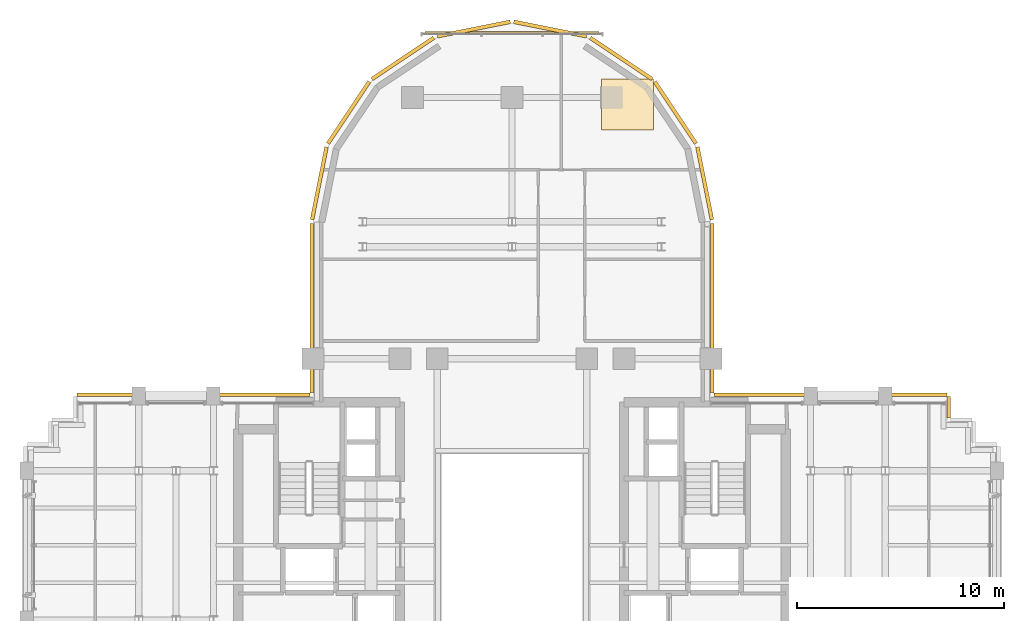
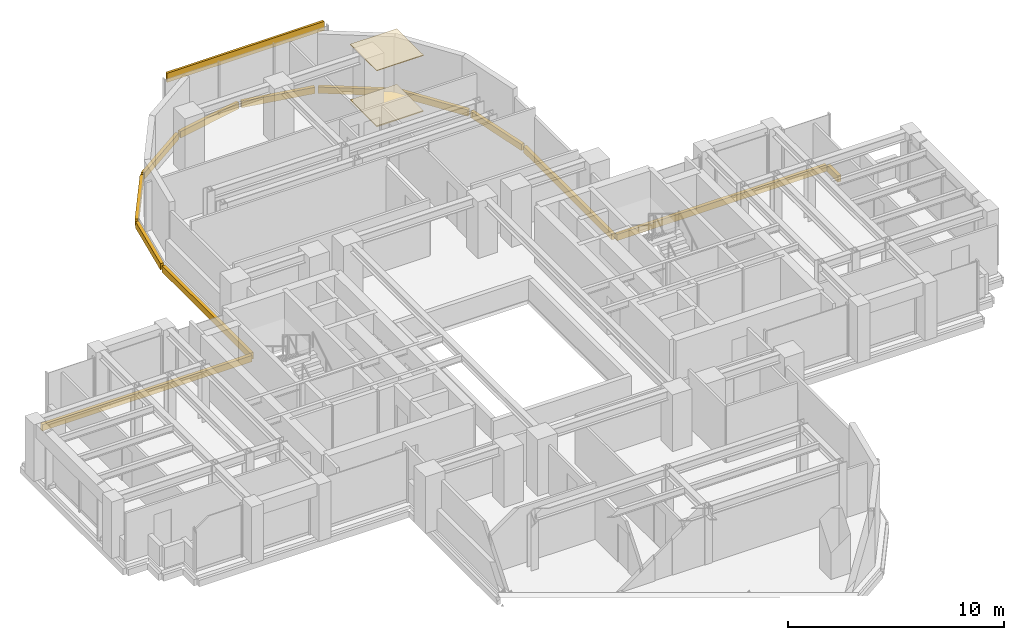
# One storey, part 14 of 14: 16 coverings.
"""IFC4 building model written with IfcOpenShell, lengths in metres."""

from ifc_helpers import new_model, si_unit, direction, frame, origin, origin_2d, place, context, subcontext, project, spatial, rectangle, extrude, source, transform, mapped, material, layer, layer_set, type_object, element, save


model = new_model("IFC4")

# Units and contexts
model_context = context("Model", 3, precision=1e-05, world=origin(), true_north=direction((0.0, 1.0)))
body_context = subcontext(model_context, "Body", "Model", "MODEL_VIEW")
ifc_project = project(units=[si_unit("LENGTHUNIT", "METRE"), si_unit("AREAUNIT", "SQUARE_METRE"), si_unit("VOLUMEUNIT", "CUBIC_METRE"), si_unit("PLANEANGLEUNIT", "RADIAN"), si_unit("MASSUNIT", "GRAM", prefix="KILO")], contexts=[model_context])

# Site, building, storey
site_placement = place(None, origin())
site = spatial("IfcSite", under=ifc_project, at=site_placement, CompositionType="ELEMENT")
building_placement = place(site_placement, origin())
building = spatial("IfcBuilding", under=site, at=building_placement, Name="Keilestroom Media Tower", CompositionType="ELEMENT")
storey_placement = place(building_placement, frame((0.0, 0.0, 114.199951171875)))
storey = spatial("IfcBuildingStorey", under=building, at=storey_placement, Name="L30", CompositionType="ELEMENT", Elevation=114.199951171875)

# Coverings
ifc_material_1 = material(Name="Precast concrete C40/50", Category="concrete")
ifc_layer_1 = layer(ifc_material_1, 0.1201171875)
ifc_layer_set_1 = layer_set([ifc_layer_1], Name="Precast concrete C40/50")
covering_type_1 = type_object("IfcCoveringType", Name="Exterior-Precast-Spandrel-Cladding-Panel-120", PredefinedType="CLADDING", material=ifc_layer_set_1)
shared_shape_1 = source(origin(), body_context, "Body", "SweptSolid", [
    extrude(rectangle(XDim=8.39990234375, YDim=0.1201171875, at=origin_2d()), origin(), (0.0, 0.0, 1.0), 0.52001953125),
])
covering_1_placement = place(storey_placement, frame((0.0, 24.719970703125, 2.68994140625), z_axis=(0.0, 0.0, 1.0), x_axis=(1.0, 0.0, 0.0)))
element("IfcCovering", 1, at=covering_1_placement, inside=storey, type_object=covering_type_1, Name="L30 Precast Spandrel Cladding N", PredefinedType="CLADDING", context=body_context, shape_type="MappedRepresentation", body=[
    mapped(shared_shape_1, transform((0.0, 0.0, 0.0), x_axis=(1.0, 0.0, 0.0), y_axis=(0.0, 1.0, 0.0), z_axis=(0.0, 0.0, 1.0), scale=1.0)),
])
shared_shape_2 = source(origin(), body_context, "Body", "SweptSolid", [
    extrude(rectangle(XDim=1.02001953125, YDim=0.179931640625, at=origin_2d()), origin(), (0.0, 0.0, 1.0), 0.360107421875),
])
covering_2_placement = place(storey_placement, frame((21.06005859375, 6.659912109375, -0.5400390625), z_axis=(0.0, 0.0, 1.0), x_axis=(0.0, -1.0, 0.0)))
element("IfcCovering", 2, at=covering_2_placement, inside=storey, type_object=covering_type_1, Name="L30 Precast Slab-Edge Fascia Cornice 38", PredefinedType="CLADDING", context=body_context, shape_type="MappedRepresentation", body=[
    mapped(shared_shape_2, transform((0.0, 0.0, 0.0), x_axis=(1.0, 0.0, 0.0), y_axis=(0.0, 1.0, 0.0), z_axis=(0.0, 0.0, 1.0), scale=1.0)),
])
shared_shape_3 = source(origin(), body_context, "Body", "SweptSolid", [
    extrude(rectangle(XDim=8.166015625, YDim=0.179931640625, at=origin_2d()), origin(), (0.0, 0.0, 1.0), 0.360107421875),
])
for number, where, z_axis, x_axis, name in (
    (3, (-9.659912109375, 11.43310546875, -0.5400390625), (0.0, 0.0, 1.0), (0.0, 1.0, 0.0), "L30 Precast Slab-Edge Fascia Cornice 27"),
    (4, (9.659912109375, 11.43310546875, -0.5400390625), (0.0, 0.0, 1.0), (0.0, -1.0, 0.0), "L30 Precast Slab-Edge Fascia Cornice 36"),
):
    element("IfcCovering", number, at=place(storey_placement, frame(where, z_axis=z_axis, x_axis=x_axis)), inside=storey, type_object=covering_type_1, Name=name, PredefinedType="CLADDING", context=body_context, shape_type="MappedRepresentation", body=[
        mapped(shared_shape_3, transform((0.0, 0.0, 0.0), x_axis=(1.0, 0.0, 0.0), y_axis=(0.0, 1.0, 0.0), z_axis=(0.0, 0.0, 1.0), scale=1.0)),
    ])
shared_shape_4 = source(origin(), body_context, "Body", "SweptSolid", [
    extrude(rectangle(XDim=3.58349609375, YDim=0.179931640625, at=origin_2d()), origin(), (0.0, 0.0, 1.0), 0.360107421875),
])
for number, where, z_axis, x_axis, name in (
    (5, (-9.29296875, 17.45166015625, -0.5400390625), (0.0, 0.0, 1.0), (0.195098880975, 0.980783577882, 0.0), "L30 Precast Slab-Edge Fascia Cornice 28"),
    (6, (9.29296875, 17.45166015625, -0.5400390625), (0.0, 0.0, 1.0), (0.195098880975, -0.980783577882, 0.0), "L30 Precast Slab-Edge Fascia Cornice 35"),
):
    element("IfcCovering", number, at=place(storey_placement, frame(where, z_axis=z_axis, x_axis=x_axis)), inside=storey, type_object=covering_type_1, Name=name, PredefinedType="CLADDING", context=body_context, shape_type="MappedRepresentation", body=[
        mapped(shared_shape_4, transform((0.0, 0.0, 0.0), x_axis=(1.0, 0.0, 0.0), y_axis=(0.0, 1.0, 0.0), z_axis=(0.0, 0.0, 1.0), scale=1.0)),
    ])
shared_shape_5 = source(origin(), body_context, "Body", "SweptSolid", [
    extrude(rectangle(XDim=3.589599609375, YDim=0.179931640625, at=origin_2d()), origin(), (0.0, 0.0, 1.0), 0.360107421875),
])
for number, where, z_axis, x_axis, name in (
    (7, (-7.878662109375, 20.8642578125, -0.5400390625), (0.0, 0.0, 1.0), (0.555574586577, 0.831466703332, 0.0), "L30 Precast Slab-Edge Fascia Cornice 29"),
    (8, (-5.264404296875, 23.478515625, -0.5400390625), (0.0, 0.0, 1.0), (0.831466703332, 0.555574586577, 0.0), "L30 Precast Slab-Edge Fascia Cornice 30"),
    (9, (-1.8486328125, 24.893310546875, -0.5400390625), (0.0, 0.0, 1.0), (0.980783577882, 0.195098880975, 0.0), "L30 Precast Slab-Edge Fascia Cornice 31"),
    (10, (1.8486328125, 24.893310546875, -0.5400390625), (0.0, 0.0, 1.0), (0.980783577882, -0.195098880975, 0.0), "L30 Precast Slab-Edge Fascia Cornice 32"),
    (11, (5.264404296875, 23.478515625, -0.5400390625), (0.0, 0.0, 1.0), (0.831466703332, -0.555574586577, 0.0), "L30 Precast Slab-Edge Fascia Cornice 33"),
    (12, (7.878662109375, 20.8642578125, -0.5400390625), (0.0, 0.0, 1.0), (0.555574586577, -0.831466703332, 0.0), "L30 Precast Slab-Edge Fascia Cornice 34"),
):
    element("IfcCovering", number, at=place(storey_placement, frame(where, z_axis=z_axis, x_axis=x_axis)), inside=storey, type_object=covering_type_1, Name=name, PredefinedType="CLADDING", context=body_context, shape_type="MappedRepresentation", body=[
        mapped(shared_shape_5, transform((0.0, 0.0, 0.0), x_axis=(1.0, 0.0, 0.0), y_axis=(0.0, 1.0, 0.0), z_axis=(0.0, 0.0, 1.0), scale=1.0)),
    ])
shared_shape_6 = source(origin(), body_context, "Body", "SweptSolid", [
    extrude(rectangle(XDim=11.219970703125, YDim=0.179931640625, at=origin_2d()), origin(), (0.0, 0.0, 1.0), 0.360107421875),
])
for number, where, z_axis, x_axis, name in (
    (13, (-15.360107421875, 7.260009765625, -0.5400390625), (0.0, 0.0, 1.0), (1.0, 0.0, 0.0), "L30 Precast Slab-Edge Fascia Cornice 26"),
    (14, (15.360107421875, 7.260009765625, -0.5400390625), (0.0, 0.0, 1.0), (1.0, 0.0, 0.0), "L30 Precast Slab-Edge Fascia Cornice 37"),
):
    element("IfcCovering", number, at=place(storey_placement, frame(where, z_axis=z_axis, x_axis=x_axis)), inside=storey, type_object=covering_type_1, Name=name, PredefinedType="CLADDING", context=body_context, shape_type="MappedRepresentation", body=[
        mapped(shared_shape_6, transform((0.0, 0.0, 0.0), x_axis=(1.0, 0.0, 0.0), y_axis=(0.0, 1.0, 0.0), z_axis=(0.0, 0.0, 1.0), scale=1.0)),
    ])
ifc_material_2 = material(Name="Mineral-Fibre Acoustic Ceiling Tile", Category="gypsum")
ifc_layer_2 = layer(ifc_material_2, 0.0400390625)
ifc_layer_set_2 = layer_set([ifc_layer_2], Name="Mineral-Fibre Acoustic Ceiling Tile")
covering_type_2 = type_object("IfcCoveringType", Name="Suspended-Acoustic-Ceiling-40", PredefinedType="CEILING", material=ifc_layer_set_2)
shared_shape_7 = source(origin(), body_context, "Body", "SweptSolid", [
    extrude(rectangle(XDim=2.5009765625, YDim=2.4619140625, at=origin_2d()), origin(), (0.0, 0.0, 1.0), 0.0400390625),
])
covering_3_placement = place(storey_placement, frame((5.575927734375, 21.248046875, 3.159912109375), z_axis=(0.0, 0.0, 1.0), x_axis=(1.0, 0.0, 0.0)))
element("IfcCovering", 15, at=covering_3_placement, inside=storey, type_object=covering_type_2, Name="L30 Suspended Acoustic Ceiling 2", PredefinedType="CEILING", context=body_context, shape_type="MappedRepresentation", body=[
    mapped(shared_shape_7, transform((0.0, 0.0, 0.0), x_axis=(1.0, 0.0, 0.0), y_axis=(0.0, 1.0, 0.0), z_axis=(0.0, 0.0, 1.0), scale=1.0)),
])
ifc_material_3 = material(Name="Calcium-Sulphate Raised Access Floor", Category="concrete")
ifc_layer_3 = layer(ifc_material_3, 0.06005859375)
ifc_layer_set_3 = layer_set([ifc_layer_3], Name="Calcium-Sulphate Raised Access Floor")
covering_type_3 = type_object("IfcCoveringType", Name="Raised-Access-And-Acoustic-Flooring-60", PredefinedType="FLOORING", material=ifc_layer_set_3)
shared_shape_8 = source(origin(), body_context, "Body", "SweptSolid", [
    extrude(rectangle(XDim=2.5009765625, YDim=2.4619140625, at=origin_2d()), origin(), (0.0, 0.0, 1.0), 0.06005859375),
])
covering_4_placement = place(storey_placement, frame((5.575927734375, 21.248046875, 0.0), z_axis=(0.0, 0.0, 1.0), x_axis=(1.0, 0.0, 0.0)))
element("IfcCovering", 16, at=covering_4_placement, inside=storey, type_object=covering_type_3, Name="L30 Raised Access Flooring 2", PredefinedType="FLOORING", context=body_context, shape_type="MappedRepresentation", body=[
    mapped(shared_shape_8, transform((0.0, 0.0, 0.0), x_axis=(1.0, 0.0, 0.0), y_axis=(0.0, 1.0, 0.0), z_axis=(0.0, 0.0, 1.0), scale=1.0)),
])

save(model, "model.ifc")
